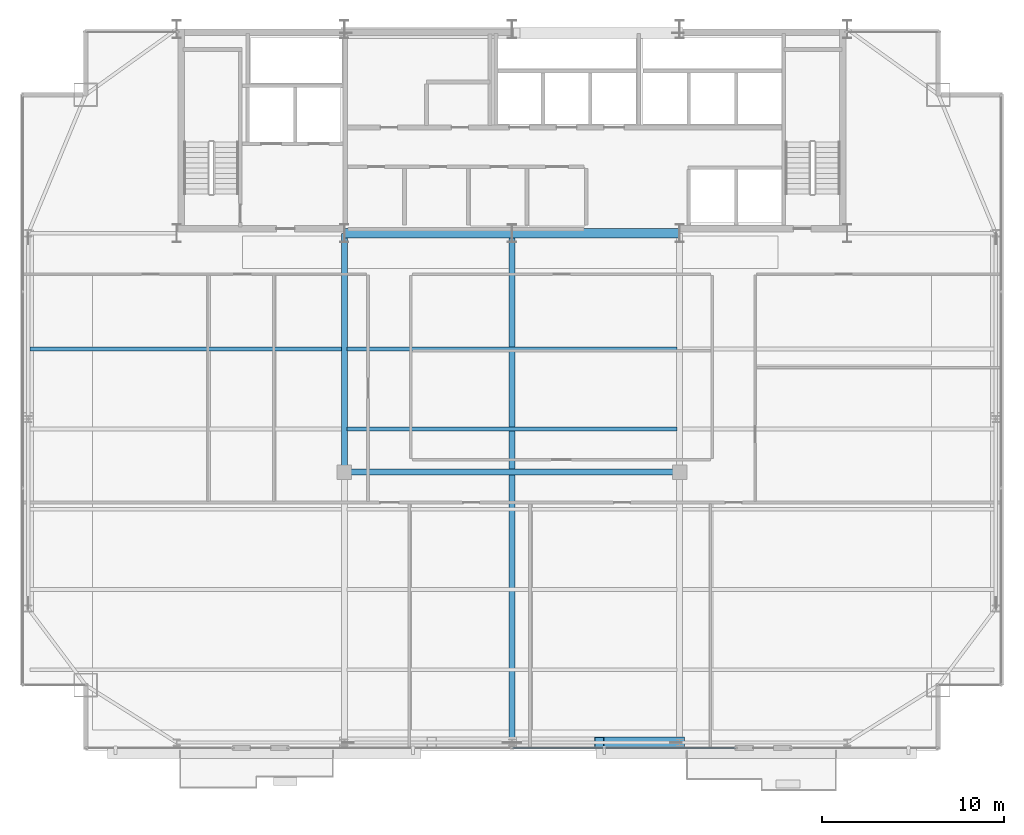
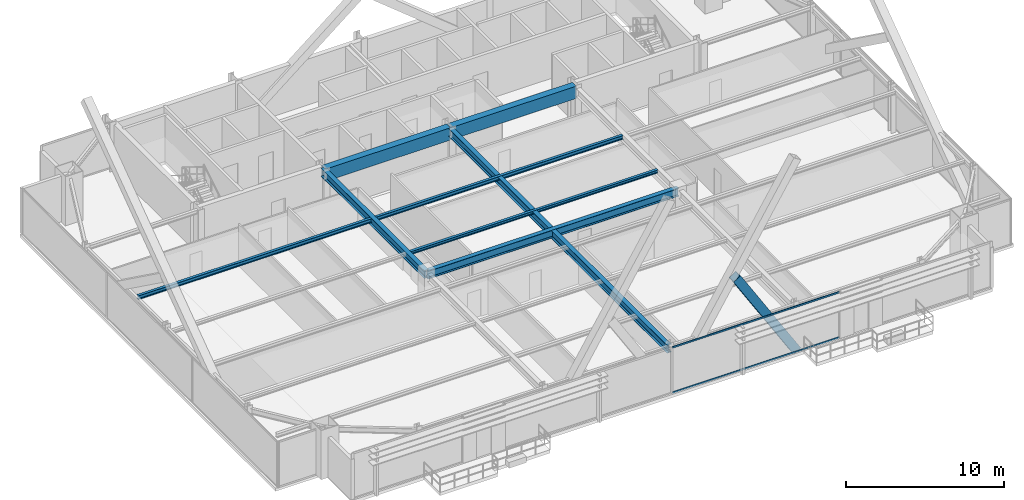
# One storey, part 13 of 34: 8 beams, 3 members, 1 element without a shape of its own.
"""IFC4 building model written with IfcOpenShell, lengths in metres."""

from ifc_helpers import new_model, si_unit, direction, frame, origin, origin_2d, place, context, subcontext, project, spatial, rectangle, hollow_rectangle, i_section, extrude, source, transform, mapped, material, layer, layer_set, material_profile, profile_set, type_object, type_shapes, element, aggregate, save


model = new_model("IFC4")

# Units and contexts
model_context = context("Model", 3, precision=1e-05, world=origin(), true_north=direction((0.0, 1.0)))
body_context = subcontext(model_context, "Body", "Model", "MODEL_VIEW")
ifc_project = project(units=[si_unit("LENGTHUNIT", "METRE"), si_unit("AREAUNIT", "SQUARE_METRE"), si_unit("VOLUMEUNIT", "CUBIC_METRE"), si_unit("PLANEANGLEUNIT", "RADIAN"), si_unit("MASSUNIT", "GRAM", prefix="KILO")], contexts=[model_context])

# Site, building, storey
site_placement = place(None, origin())
site = spatial("IfcSite", under=ifc_project, at=site_placement, CompositionType="ELEMENT")
building_placement = place(site_placement, origin())
building = spatial("IfcBuilding", under=site, at=building_placement, Name="Varnel Quay Broadcast Tower", CompositionType="ELEMENT")
storey_placement = place(building_placement, frame((0.0, 0.0, 176.199951171875)))
storey = spatial("IfcBuildingStorey", under=building, at=storey_placement, Name="L43", CompositionType="ELEMENT", Elevation=176.199951171875)

# Beams
ifc_material_1 = material(Name="Structural Steel CSA G40.21 350W", Category="steel")
ifc_material_profile_1 = material_profile(ifc_material_1, i_section(OverallWidth=0.324951171875, OverallDepth=0.615966796875, WebThickness=0.013916015625, FlangeThickness=0.021484375, FilletRadius=0.01611328125, at=origin_2d()), Name="W610X174")
ifc_profile_set_1 = profile_set([ifc_material_profile_1], Name="Structural Steel CSA G40.21 350W")
beam_type_1 = type_object("IfcBeamType", Name="Girder_W610X174", PredefinedType="BEAM", material=ifc_profile_set_1)
shared_shape_1 = source(origin(), body_context, "Body", "SweptSolid", [
    extrude(i_section(OverallWidth=0.324951171875, OverallDepth=0.615966796875, WebThickness=0.013916015625, FlangeThickness=0.021484375, FilletRadius=0.01611328125, at=origin_2d()), origin(), (0.0, 0.0, 1.0), 13.070068359375),
])
beam_1_placement = place(storey_placement, frame((24.800048828125, 22.510009765625, 3.241943359375), z_axis=(0.0, 1.0, 0.0), x_axis=(-1.0, 0.0, 0.0)))
element("IfcBeam", 1, at=beam_1_placement, inside=storey, type_object=beam_type_1, Name="L43 Primary Girder IC-01-CC-S2", PredefinedType="BEAM", context=body_context, shape_type="MappedRepresentation", body=[
    mapped(shared_shape_1, transform((0.0, 0.0, 0.0), x_axis=(1.0, 0.0, 0.0), y_axis=(0.0, 1.0, 0.0), z_axis=(0.0, 0.0, 1.0), scale=1.0)),
])
shared_shape_2 = source(origin(), body_context, "Body", "SweptSolid", [
    extrude(i_section(OverallWidth=0.324951171875, OverallDepth=0.615966796875, WebThickness=0.013916015625, FlangeThickness=0.021484375, FilletRadius=0.01611328125, at=origin_2d()), origin(), (0.0, 0.0, 1.0), 18.35986328125),
])
beam_2_placement = place(storey_placement, frame((24.820068359375, 22.489990234375, 3.241943359375), z_axis=(1.0, 0.0, 0.0), x_axis=(0.0, 1.0, 0.0)))
element("IfcBeam", 2, at=beam_2_placement, inside=storey, type_object=beam_type_1, Name="L43 Interior Spine Girder", PredefinedType="BEAM", context=body_context, shape_type="MappedRepresentation", body=[
    mapped(shared_shape_2, transform((0.0, 0.0, 0.0), x_axis=(1.0, 0.0, 0.0), y_axis=(0.0, 1.0, 0.0), z_axis=(0.0, 0.0, 1.0), scale=1.0)),
])
shared_shape_3 = source(origin(), body_context, "Body", "SweptSolid", [
    extrude(i_section(OverallWidth=0.324951171875, OverallDepth=0.615966796875, WebThickness=0.013916015625, FlangeThickness=0.021484375, FilletRadius=0.01611328125, at=origin_2d()), origin(), (0.0, 0.0, 1.0), 27.91015625),
])
type_shapes(beam_type_1, [shared_shape_1, shared_shape_2, shared_shape_3])
beam_3_placement = place(storey_placement, frame((34.0, 7.669921875, 3.241943359375), z_axis=(0.0, 1.0, 0.0), x_axis=(-1.0, 0.0, 0.0)))
element("IfcBeam", 3, at=beam_3_placement, inside=storey, type_object=beam_type_1, Name="L43 Central Bay Girder", PredefinedType="BEAM", context=body_context, shape_type="MappedRepresentation", body=[
    mapped(shared_shape_3, transform((0.0, 0.0, 0.0), x_axis=(1.0, 0.0, 0.0), y_axis=(0.0, 1.0, 0.0), z_axis=(0.0, 0.0, 1.0), scale=1.0)),
])
ifc_material_2 = material(Name="Concrete CSA A23.3 C50/60", Category="concrete")
ifc_material_profile_2 = material_profile(ifc_material_2, rectangle(XDim=0.5, YDim=0.949951171875, at=origin_2d()), Name="RC500X950")
ifc_profile_set_2 = profile_set([ifc_material_profile_2], Name="Concrete CSA A23.3 C50/60")
beam_type_2 = type_object("IfcBeamType", Name="Beam_RC500X950", PredefinedType="BEAM", material=ifc_profile_set_2)
shared_shape_4 = source(origin(), body_context, "Body", "SweptSolid", [
    extrude(rectangle(XDim=0.5, YDim=0.949951171875, at=origin_2d()), origin(), (0.0, 0.0, 1.0), 9.159912109375),
])
type_shapes(beam_type_2, [shared_shape_4])
for number, where, z_axis, x_axis, name in (
    (4, (24.820068359375, 35.60009765625, 3.074951171875), (1.0, 0.0, 0.0), (0.0, 1.0, 0.0), "L43 Core Coupling Beam W"),
    (5, (34.02001953125, 35.60009765625, 3.074951171875), (1.0, 0.0, 0.0), (0.0, 1.0, 0.0), "L43 Core Coupling Beam E"),
):
    element("IfcBeam", number, at=place(storey_placement, frame(where, z_axis=z_axis, x_axis=x_axis)), inside=storey, type_object=beam_type_2, Name=name, PredefinedType="BEAM", context=body_context, shape_type="MappedRepresentation", body=[
        mapped(shared_shape_4, transform((0.0, 0.0, 0.0), x_axis=(1.0, 0.0, 0.0), y_axis=(0.0, 1.0, 0.0), z_axis=(0.0, 0.0, 1.0), scale=1.0)),
    ])
ifc_material_profile_3 = material_profile(ifc_material_1, i_section(OverallWidth=0.202880859375, OverallDepth=0.302978515625, WebThickness=0.007568359375, FlangeThickness=0.01318359375, FilletRadius=0.011962890625, at=origin_2d()), Name="W310X60")
ifc_profile_set_3 = profile_set([ifc_material_profile_3], Name="Structural Steel CSA G40.21 350W")
beam_type_3 = type_object("IfcBeamType", Name="Beam_W310X60", PredefinedType="JOIST", material=ifc_profile_set_3)
shared_shape_5 = source(origin(), body_context, "Body", "SweptSolid", [
    extrude(i_section(OverallWidth=0.202880859375, OverallDepth=0.302978515625, WebThickness=0.007568359375, FlangeThickness=0.01318359375, FilletRadius=0.011962890625, at=origin_2d()), origin(), (0.0, 0.0, 1.0), 17.107177734375),
])
beam_4_placement = place(storey_placement, frame((7.535400390625, 29.25, 3.3984375), z_axis=(1.0, 0.0, 0.0), x_axis=(0.0, 1.0, 0.0)))
element("IfcBeam", 6, at=beam_4_placement, inside=storey, type_object=beam_type_3, Name="L43 West Floor Joist 5", PredefinedType="JOIST", context=body_context, shape_type="MappedRepresentation", body=[
    mapped(shared_shape_5, transform((0.0, 0.0, 0.0), x_axis=(1.0, 0.0, 0.0), y_axis=(0.0, 1.0, 0.0), z_axis=(0.0, 0.0, 1.0), scale=1.0)),
])
shared_shape_6 = source(origin(), body_context, "Body", "SweptSolid", [
    extrude(i_section(OverallWidth=0.202880859375, OverallDepth=0.302978515625, WebThickness=0.007568359375, FlangeThickness=0.01318359375, FilletRadius=0.011962890625, at=origin_2d()), origin(), (0.0, 0.0, 1.0), 18.0849609375),
])
type_shapes(beam_type_3, [shared_shape_5, shared_shape_6])
beam_5_placement = place(storey_placement, frame((24.95751953125, 29.25, 3.3984375), z_axis=(1.0, 0.0, 0.0), x_axis=(0.0, 1.0, 0.0)))
element("IfcBeam", 7, at=beam_5_placement, inside=storey, type_object=beam_type_3, Name="L43 Central Floor Joist 5", PredefinedType="JOIST", context=body_context, shape_type="MappedRepresentation", body=[
    mapped(shared_shape_6, transform((0.0, 0.0, 0.0), x_axis=(1.0, 0.0, 0.0), y_axis=(0.0, 1.0, 0.0), z_axis=(0.0, 0.0, 1.0), scale=1.0)),
])
ifc_material_profile_4 = material_profile(ifc_material_1, i_section(OverallWidth=0.201904296875, OverallDepth=0.2470703125, WebThickness=0.00732421875, FlangeThickness=0.010986328125, FilletRadius=0.010986328125, at=origin_2d()), Name="W250X49")
ifc_profile_set_4 = profile_set([ifc_material_profile_4], Name="Structural Steel CSA G40.21 350W")
beam_type_4 = type_object("IfcBeamType", Name="Beam_W250X49", PredefinedType="JOIST", material=ifc_profile_set_4)
shared_shape_7 = source(origin(), body_context, "Body", "SweptSolid", [
    extrude(i_section(OverallWidth=0.201904296875, OverallDepth=0.2470703125, WebThickness=0.00732421875, FlangeThickness=0.010986328125, FilletRadius=0.010986328125, at=origin_2d()), origin(), (0.0, 0.0, 1.0), 18.0849609375),
])
type_shapes(beam_type_4, [shared_shape_7])
beam_6_placement = place(storey_placement, frame((24.95751953125, 24.85009765625, 3.426513671875), z_axis=(1.0, 0.0, 0.0), x_axis=(0.0, 1.0, 0.0)))
element("IfcBeam", 8, at=beam_6_placement, inside=storey, type_object=beam_type_4, Name="L43 Central Floor Joist 4", PredefinedType="JOIST", context=body_context, shape_type="MappedRepresentation", body=[
    mapped(shared_shape_7, transform((0.0, 0.0, 0.0), x_axis=(1.0, 0.0, 0.0), y_axis=(0.0, 1.0, 0.0), z_axis=(0.0, 0.0, 1.0), scale=1.0)),
])

# Member
ifc_material_3 = material(Name="Structural Steel CSA G40.21 350WT", Category="steel")
ifc_material_profile_5 = material_profile(ifc_material_3, hollow_rectangle(XDim=0.60009765625, YDim=0.60009765625, WallThickness=0.028076171875, at=origin_2d()), Name="BOX600X600X28")
ifc_profile_set_5 = profile_set([ifc_material_profile_5], Name="Structural Steel CSA G40.21 350WT")
member_type_1 = type_object("IfcMemberType", Name="Brace_BOX600X600X28", PredefinedType="BRACE", material=ifc_profile_set_5)
shared_shape_8 = source(origin(), body_context, "Body", "SweptSolid", [
    extrude(hollow_rectangle(XDim=0.60009765625, YDim=0.60009765625, WallThickness=0.028076171875, at=origin_2d()), origin(), (0.0, 0.0, 1.0), 8.38671875),
])
type_shapes(member_type_1, [shared_shape_8])
member_1_placement = place(storey_placement, frame((43.199951171875, 7.64990234375, 0.02001953125), z_axis=(-0.525871495166, 0.0, 0.850564030848), x_axis=(0.0, -1.0, 0.0)))
element("IfcMember", 9, at=member_1_placement, inside=storey, type_object=member_type_1, Name="Zone 3 Mega-Brace S-C2T3 Split Diag B1", PredefinedType="BRACE", context=body_context, shape_type="MappedRepresentation", body=[
    mapped(shared_shape_8, transform((0.0, 0.0, 0.0), x_axis=(1.0, 0.0, 0.0), y_axis=(0.0, 1.0, 0.0), z_axis=(0.0, 0.0, 1.0), scale=1.0)),
])

# Curtain wall, members
ifc_material_4 = material(Name="Anodised Bronze Aluminium 6063-T6", Category="aluminium")
ifc_layer = layer(ifc_material_4, 0.18994140625, Name="Anodised Bronze Aluminium 6063-T6")
ifc_layer_set = layer_set([ifc_layer], Name="Anodised Bronze Aluminium 6063-T6")
curtain_wall_type = type_object("IfcCurtainWallType", Name="CW_UpperTower", PredefinedType="NOTDEFINED", material=ifc_layer_set)
curtain_wall_placement = place(storey_placement, origin())
curtain_wall = element("IfcCurtainWall", 10, at=curtain_wall_placement, inside=storey, type_object=curtain_wall_type, Name="L43 South Unitised Curtain Wall 2", PredefinedType="NOTDEFINED")
ifc_material_profile_6 = material_profile(ifc_material_4, hollow_rectangle(XDim=0.06005859375, YDim=0.125, WallThickness=0.0029296875, at=origin_2d()), Name="ALU60X125X3")
ifc_profile_set_6 = profile_set([ifc_material_profile_6], Name="Anodised Bronze Aluminium 6063-T6")
member_type_2 = type_object("IfcMemberType", Name="Tran_CWS-03", PredefinedType="USERDEFINED", material=ifc_profile_set_6)
shared_shape_9 = source(origin(), body_context, "Body", "SweptSolid", [
    extrude(hollow_rectangle(XDim=0.06005859375, YDim=0.125, WallThickness=0.0029296875, at=origin_2d()), origin(), (0.0, 0.0, 1.0), 12.222412109375),
])
type_shapes(member_type_2, [shared_shape_9])
member_2_placement = place(storey_placement, frame((34.032470703125, 7.35009765625, 0.030029296875), z_axis=(1.0, 0.0, 0.0), x_axis=(0.0, 1.0, 0.0)))
member_2 = element("IfcMember", 11, at=member_2_placement, type_object=member_type_2, Name="CWS-03 transom 2.1", ObjectType="TRANSOM", PredefinedType="USERDEFINED", context=body_context, shape_type="MappedRepresentation", body=[
    mapped(shared_shape_9, transform((0.0, 0.0, 0.0), x_axis=(1.0, 0.0, 0.0), y_axis=(0.0, 1.0, 0.0), z_axis=(0.0, 0.0, 1.0), scale=1.0)),
])
member_3_placement = place(storey_placement, frame((34.032470703125, 7.35009765625, 3.52001953125), z_axis=(1.0, 0.0, 0.0), x_axis=(0.0, 1.0, 0.0)))
member_3 = element("IfcMember", 12, at=member_3_placement, type_object=member_type_2, Name="CWS-03 transom 2.2", ObjectType="TRANSOM", PredefinedType="USERDEFINED", context=body_context, shape_type="MappedRepresentation", body=[
    mapped(shared_shape_9, transform((0.0, 0.0, 0.0), x_axis=(1.0, 0.0, 0.0), y_axis=(0.0, 1.0, 0.0), z_axis=(0.0, 0.0, 1.0), scale=1.0)),
])
aggregate(curtain_wall, [member_2, member_3])

save(model, "model.ifc")
